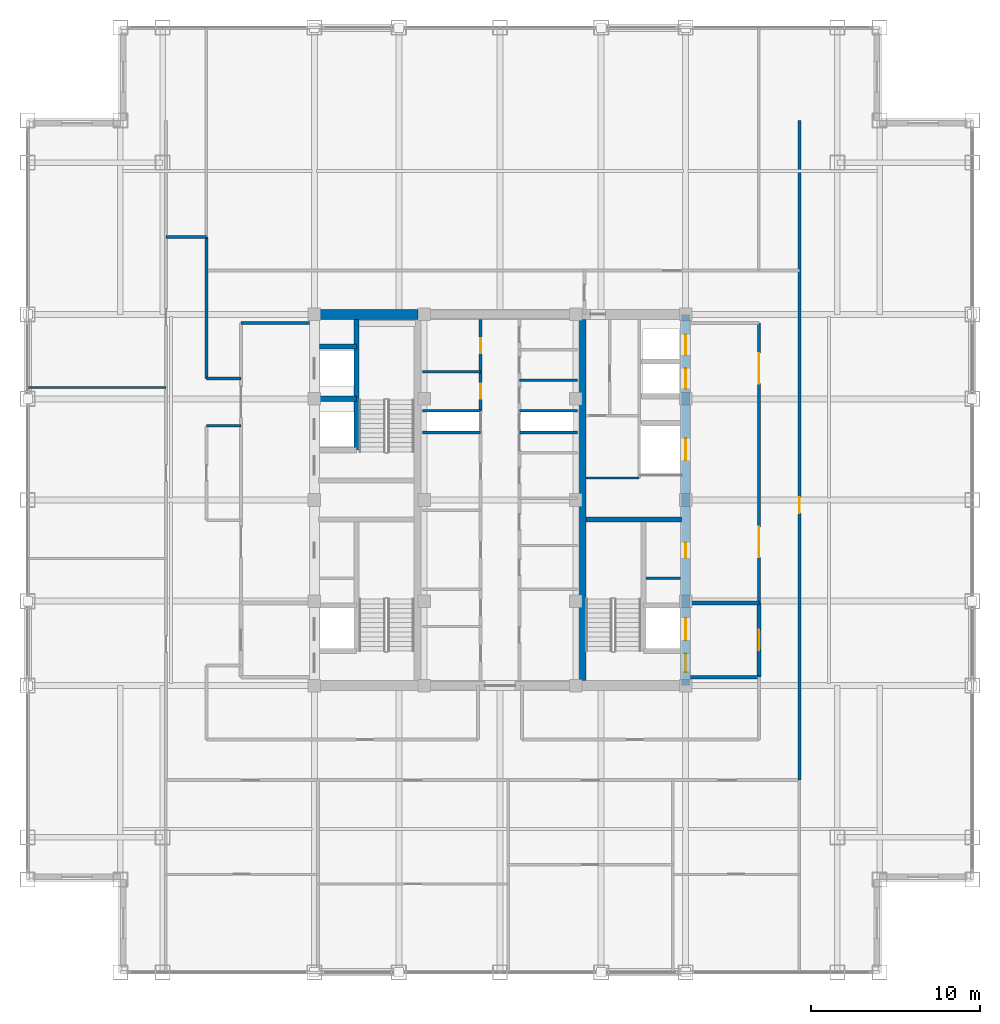
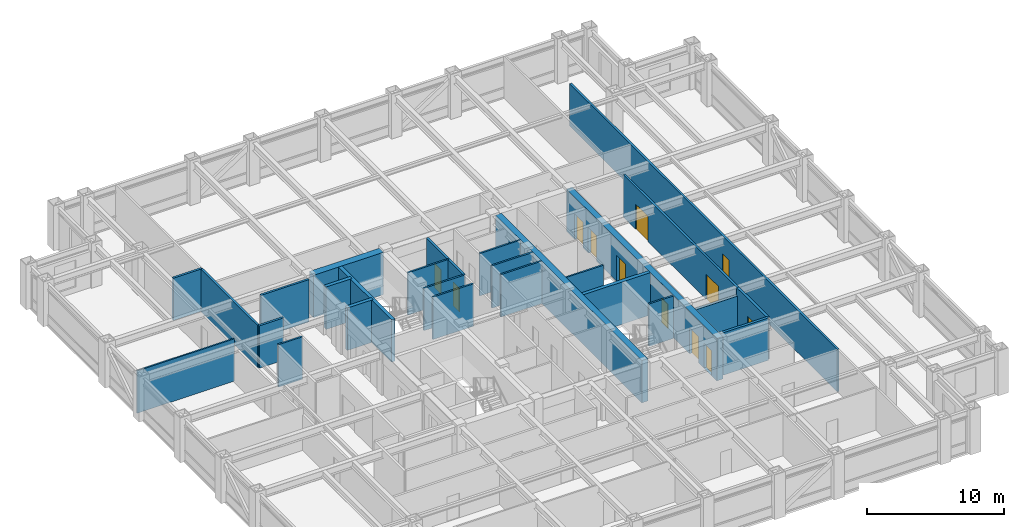
# One storey, part 20 of 22: 27 walls, 12 doors, 12 openings.
"""IFC4 building model written with IfcOpenShell, lengths in metres."""

from ifc_helpers import new_model, si_unit, direction, frame, frame_2d, origin, place, context, subcontext, project, spatial, rectangle, extrude, source, transform, mapped, material, layer, layer_set, type_object, element, fill, save


model = new_model("IFC4")

# Units and contexts
model_context = context("Model", 3, precision=1e-05, world=origin(), true_north=direction((0.0, 1.0)))
body_context = subcontext(model_context, "Body", "Model", "MODEL_VIEW")
ifc_project = project(units=[si_unit("LENGTHUNIT", "METRE"), si_unit("AREAUNIT", "SQUARE_METRE"), si_unit("VOLUMEUNIT", "CUBIC_METRE"), si_unit("PLANEANGLEUNIT", "RADIAN"), si_unit("MASSUNIT", "GRAM", prefix="KILO")], contexts=[model_context])

# Site, building, storey
site_placement = place(None, origin())
site = spatial("IfcSite", under=ifc_project, at=site_placement, CompositionType="ELEMENT")
building_placement = place(site_placement, origin())
building = spatial("IfcBuilding", under=site, at=building_placement, Name="Khorayat Bourse Tower", CompositionType="ELEMENT")
storey_placement = place(building_placement, frame((0.0, 0.0, 293.5)))
storey = spatial("IfcBuildingStorey", under=building, at=storey_placement, Name="L69", CompositionType="ELEMENT", Elevation=293.5)

# Wall, openings, doors
ifc_material_1 = material(Name="Concrete C52/65", Category="concrete")
ifc_layer_1 = layer(ifc_material_1, 0.5)
ifc_layer_set_1 = layer_set([ifc_layer_1], Name="Concrete C52/65")
wall_type_1 = type_object("IfcWallType", Name="WAL-CORE-500", PredefinedType="SHEAR", material=ifc_layer_set_1)
shared_shape_1 = source(origin(), body_context, "Body", "SweptSolid", [
    extrude(rectangle(XDim=22.0, YDim=0.5, at=frame_2d((11.0, 0.0))), origin(), (0.0, 0.0, 1.0), 3.780029296875),
])
wall_1_placement = place(storey_placement, frame((11.0, -11.0, 0.0), z_axis=(0.0, 0.0, 1.0), x_axis=(0.0, 1.0, 0.0)))
wall_1 = element("IfcWall", 1, at=wall_1_placement, inside=storey, type_object=wall_type_1, Name="L69 Core Shear Wall CORE-E", PredefinedType="SHEAR", context=body_context, shape_type="MappedRepresentation", body=[
    mapped(shared_shape_1, transform((0.0, 0.0, 0.0), scale=1.0)),
])
shared_shape_2 = source(origin(), body_context, "Body", "SweptSolid", [
    extrude(rectangle(XDim=1.10009765625, YDim=2.199951171875, at=frame_2d((0.550048828125, 1.10009765625))), frame((0.0, 0.260009765625, 0.0), z_axis=(0.0, -1.0, 0.0), x_axis=(1.0, 0.0, 0.0)), (0.0, 0.0, 1.0), 0.52001953125),
])
opening_1_placement = place(wall_1_placement, frame((0.800048828125, 0.0, 0.0)))
opening_1 = element("IfcOpeningElement", 2, at=opening_1_placement, cuts=wall_1, Name="Opening DI-01", PredefinedType="OPENING", context=body_context, shape_type="MappedRepresentation", body=[
    mapped(shared_shape_2, transform((0.0, 0.0, 0.0), scale=1.0)),
])
shared_shape_3 = source(origin(), body_context, "Body", "SweptSolid", [
    extrude(rectangle(XDim=0.89990234375, YDim=2.14990234375, at=frame_2d((0.449951171875, 1.074951171875))), frame((0.0, 0.260009765625, 0.0), z_axis=(0.0, -1.0, 0.0), x_axis=(1.0, 0.0, 0.0)), (0.0, 0.0, 1.0), 0.52001953125),
])
opening_2_placement = place(wall_1_placement, frame((7.574951171875, 0.0, 0.0)))
opening_2 = element("IfcOpeningElement", 3, at=opening_2_placement, cuts=wall_1, Name="Opening DI-06", PredefinedType="OPENING", context=body_context, shape_type="MappedRepresentation", body=[
    mapped(shared_shape_3, transform((0.0, 0.0, 0.0), scale=1.0)),
])
shared_shape_4 = source(origin(), body_context, "Body", "SweptSolid", [
    extrude(rectangle(XDim=1.199951171875, YDim=2.300048828125, at=frame_2d((0.60009765625, 1.14990234375))), frame((0.0, 0.260009765625, 0.0), z_axis=(0.0, -1.0, 0.0), x_axis=(1.0, 0.0, 0.0)), (0.0, 0.0, 1.0), 0.52001953125),
])
opening_3_placement = place(wall_1_placement, frame((17.60009765625, 0.0, 0.0)))
opening_3 = element("IfcOpeningElement", 4, at=opening_3_placement, cuts=wall_1, Name="Opening LD-01", PredefinedType="OPENING", context=body_context, shape_type="MappedRepresentation", body=[
    mapped(shared_shape_4, transform((0.0, 0.0, 0.0), scale=1.0)),
])
opening_4_placement = place(wall_1_placement, frame((19.60009765625, 0.0, 0.0)))
opening_4 = element("IfcOpeningElement", 5, at=opening_4_placement, cuts=wall_1, Name="Opening LD-01", PredefinedType="OPENING", context=body_context, shape_type="MappedRepresentation", body=[
    mapped(shared_shape_4, transform((0.0, 0.0, 0.0), scale=1.0)),
])
shared_shape_5 = source(origin(), body_context, "Body", "SweptSolid", [
    extrude(rectangle(XDim=1.300048828125, YDim=2.300048828125, at=frame_2d((0.64990234375, 1.14990234375))), frame((0.0, 0.260009765625, 0.0), z_axis=(0.0, -1.0, 0.0), x_axis=(1.0, 0.0, 0.0)), (0.0, 0.0, 1.0), 0.52001953125),
])
opening_5_placement = place(wall_1_placement, frame((2.699951171875, 0.0, 0.0)))
opening_5 = element("IfcOpeningElement", 6, at=opening_5_placement, cuts=wall_1, Name="Opening LD-02", PredefinedType="OPENING", context=body_context, shape_type="MappedRepresentation", body=[
    mapped(shared_shape_5, transform((0.0, 0.0, 0.0), scale=1.0)),
])
opening_6_placement = place(wall_1_placement, frame((13.35009765625, 0.0, 0.0)))
opening_6 = element("IfcOpeningElement", 7, at=opening_6_placement, cuts=wall_1, Name="Opening LD-02", PredefinedType="OPENING", context=body_context, shape_type="MappedRepresentation", body=[
    mapped(shared_shape_5, transform((0.0, 0.0, 0.0), scale=1.0)),
])
ifc_material_2 = material(Name="Fire-rated steel acoustic leaf", Category="steel")
door_type_1 = type_object("IfcDoorType", Name="DR-INT-STAIR-1100", OperationType="NOTDEFINED", PredefinedType="DOOR", material=ifc_material_2)
shared_shape_6 = source(origin(), body_context, "Body", "SweptSolid", [
    extrude(rectangle(XDim=1.10009765625, YDim=2.199951171875, at=frame_2d((0.550048828125, 1.10009765625))), frame((0.0, 0.02490234375, 0.0), z_axis=(0.0, -1.0, 0.0), x_axis=(1.0, 0.0, 0.0)), (0.0, 0.0, 1.0), 0.050048828125),
])
door_1_placement = place(opening_1_placement, origin())
door_1 = element("IfcDoor", 8, at=door_1_placement, inside=storey, type_object=door_type_1, Name="L69 Exit Stair 3 Door", OperationType="SINGLE_SWING_LEFT", OverallHeight=2.199951171875, OverallWidth=1.10009765625, PredefinedType="DOOR", context=body_context, shape_type="MappedRepresentation", body=[
    mapped(shared_shape_6, transform((0.0, 0.0, 0.0), scale=1.0)),
])
fill(opening_1, door_1)
ifc_material_3 = material(Name="Moisture-resistant laminate washroom door")
door_type_2 = type_object("IfcDoorType", Name="DR-INT-WC-900", OperationType="NOTDEFINED", PredefinedType="DOOR", material=ifc_material_3)
shared_shape_7 = source(origin(), body_context, "Body", "SweptSolid", [
    extrude(rectangle(XDim=0.89990234375, YDim=2.14990234375, at=frame_2d((0.449951171875, 1.074951171875))), frame((0.0, 0.02490234375, 0.0), z_axis=(0.0, -1.0, 0.0), x_axis=(1.0, 0.0, 0.0)), (0.0, 0.0, 1.0), 0.050048828125),
])
door_2_placement = place(opening_2_placement, origin())
door_2 = element("IfcDoor", 9, at=door_2_placement, inside=storey, type_object=door_type_2, Name="L69 Fiber Server Plant Room Door", OperationType="SINGLE_SWING_LEFT", OverallHeight=2.14990234375, OverallWidth=0.89990234375, PredefinedType="DOOR", context=body_context, shape_type="MappedRepresentation", body=[
    mapped(shared_shape_7, transform((0.0, 0.0, 0.0), scale=1.0)),
])
fill(opening_2, door_2)
ifc_material_4 = material(Name="Brushed bronze stainless-steel sliding door", Category="steel")
door_type_3 = type_object("IfcDoorType", Name="DR-LIFT-PASS-1200", OperationType="NOTDEFINED", PredefinedType="DOOR", material=ifc_material_4)
shared_shape_8 = source(origin(), body_context, "Body", "SweptSolid", [
    extrude(rectangle(XDim=1.199951171875, YDim=2.300048828125, at=frame_2d((0.60009765625, 1.14990234375))), frame((0.0, 0.02490234375, 0.0), z_axis=(0.0, -1.0, 0.0), x_axis=(1.0, 0.0, 0.0)), (0.0, 0.0, 1.0), 0.050048828125),
])
door_3_placement = place(opening_3_placement, origin())
door_3 = element("IfcDoor", 10, at=door_3_placement, inside=storey, type_object=door_type_3, Name="L69 Lift PL-H3 Sliding Landing Door", OperationType="SLIDING_TO_LEFT", OverallHeight=2.300048828125, OverallWidth=1.199951171875, PredefinedType="DOOR", context=body_context, shape_type="MappedRepresentation", body=[
    mapped(shared_shape_8, transform((0.0, 0.0, 0.0), scale=1.0)),
])
fill(opening_3, door_3)
door_4_placement = place(opening_4_placement, origin())
door_4 = element("IfcDoor", 11, at=door_4_placement, inside=storey, type_object=door_type_3, Name="L69 Lift PL-H4 Sliding Landing Door", OperationType="SLIDING_TO_LEFT", OverallHeight=2.300048828125, OverallWidth=1.199951171875, PredefinedType="DOOR", context=body_context, shape_type="MappedRepresentation", body=[
    mapped(shared_shape_8, transform((0.0, 0.0, 0.0), scale=1.0)),
])
fill(opening_4, door_4)
ifc_material_5 = material(Name="Fire-rated stainless-steel sliding landing door", Category="steel")
door_type_4 = type_object("IfcDoorType", Name="DR-LIFT-FF-1300", OperationType="NOTDEFINED", PredefinedType="DOOR", material=ifc_material_5)
shared_shape_9 = source(origin(), body_context, "Body", "SweptSolid", [
    extrude(rectangle(XDim=1.300048828125, YDim=2.300048828125, at=frame_2d((0.64990234375, 1.14990234375))), frame((0.0, 0.02490234375, 0.0), z_axis=(0.0, -1.0, 0.0), x_axis=(1.0, 0.0, 0.0)), (0.0, 0.0, 1.0), 0.050048828125),
])
door_5_placement = place(opening_5_placement, origin())
door_5 = element("IfcDoor", 12, at=door_5_placement, inside=storey, type_object=door_type_4, Name="L69 Lift FFL-02 Sliding Landing Door", OperationType="SLIDING_TO_LEFT", OverallHeight=2.300048828125, OverallWidth=1.300048828125, PredefinedType="DOOR", context=body_context, shape_type="MappedRepresentation", body=[
    mapped(shared_shape_9, transform((0.0, 0.0, 0.0), scale=1.0)),
])
fill(opening_5, door_5)
door_6_placement = place(opening_6_placement, origin())
door_6 = element("IfcDoor", 13, at=door_6_placement, inside=storey, type_object=door_type_4, Name="L69 Lift SVL-01 Sliding Landing Door", OperationType="SLIDING_TO_LEFT", OverallHeight=2.300048828125, OverallWidth=1.300048828125, PredefinedType="DOOR", context=body_context, shape_type="MappedRepresentation", body=[
    mapped(shared_shape_9, transform((0.0, 0.0, 0.0), scale=1.0)),
])
fill(opening_6, door_6)

# Walls
shared_shape_10 = source(origin(), body_context, "Body", "SweptSolid", [
    extrude(rectangle(XDim=21.39990234375, YDim=0.5, at=frame_2d((10.699951171875, 0.0))), origin(), (0.0, 0.0, 1.0), 3.780029296875),
])
wall_2_placement = place(storey_placement, frame((4.85009765625, -10.699951171875, 0.0), z_axis=(0.0, 0.0, 1.0), x_axis=(0.0, 1.0, 0.0)))
element("IfcWall", 14, at=wall_2_placement, inside=storey, type_object=wall_type_1, Name="L69 Core Shear Wall PIER-E", PredefinedType="SHEAR", context=body_context, shape_type="MappedRepresentation", body=[
    mapped(shared_shape_10, transform((0.0, 0.0, 0.0), scale=1.0)),
])
ifc_material_6 = material(Name="Concrete C60/75", Category="concrete")
ifc_layer_2 = layer(ifc_material_6, 0.60009765625)
ifc_layer_set_2 = layer_set([ifc_layer_2], Name="Concrete C60/75")
wall_type_2 = type_object("IfcWallType", Name="WAL-CORE-600", PredefinedType="SHEAR", material=ifc_layer_set_2)
shared_shape_11 = source(origin(), body_context, "Body", "SweptSolid", [
    extrude(rectangle(XDim=5.89990234375, YDim=0.60009765625, at=frame_2d((2.949951171875, 0.0))), origin(), (0.0, 0.0, 1.0), 3.780029296875),
])
wall_3_placement = place(storey_placement, frame((-10.75, 11.0, 0.0), z_axis=(0.0, 0.0, 1.0), x_axis=(1.0, 0.0, 0.0)))
element("IfcWall", 15, at=wall_3_placement, inside=storey, type_object=wall_type_2, Name="L69 Core Shear Wall PIER-WN", PredefinedType="SHEAR", context=body_context, shape_type="MappedRepresentation", body=[
    mapped(shared_shape_11, transform((0.0, 0.0, 0.0), scale=1.0)),
])
ifc_material_7 = material(Name="Concrete C50/60", Category="concrete")
ifc_layer_3 = layer(ifc_material_7, 0.300048828125)
ifc_layer_set_3 = layer_set([ifc_layer_3], Name="Concrete C50/60")
wall_type_3 = type_object("IfcWallType", Name="WAL-SHAFT-300", PredefinedType="SHEAR", material=ifc_layer_set_3)
shared_shape_12 = source(origin(), body_context, "Body", "SweptSolid", [
    extrude(rectangle(XDim=5.64990234375, YDim=0.300048828125, at=frame_2d((2.824951171875, 0.0))), origin(), (0.0, 0.0, 1.0), 3.780029296875),
])
wall_4_placement = place(storey_placement, frame((5.10009765625, -1.14990234375, 0.0), z_axis=(0.0, 0.0, 1.0), x_axis=(1.0, 0.0, 0.0)))
element("IfcWall", 16, at=wall_4_placement, inside=storey, type_object=wall_type_3, Name="L69 Core Shear Wall ST3-DIV", PredefinedType="SHEAR", context=body_context, shape_type="MappedRepresentation", body=[
    mapped(shared_shape_12, transform((0.0, 0.0, 0.0), scale=1.0)),
])
ifc_material_8 = material(Name="Aerated concrete blockwork", Category="masonry")
ifc_layer_4 = layer(ifc_material_8, 0.219970703125)
ifc_layer_set_4 = layer_set([ifc_layer_4], Name="Aerated concrete blockwork")
wall_type_4 = type_object("IfcWallType", Name="WAL-PART-FF-220", PredefinedType="PARTITIONING", material=ifc_layer_set_4)
shared_shape_13 = source(origin(), body_context, "Body", "SweptSolid", [
    extrude(rectangle(XDim=4.050048828125, YDim=0.219970703125, at=frame_2d((2.02490234375, 0.0))), origin(), (0.0, 0.0, 1.0), 3.0849609375),
])
wall_5_placement = place(storey_placement, frame((11.300048828125, -6.10009765625, 0.0), z_axis=(0.0, 0.0, 1.0), x_axis=(1.0, 0.0, 0.0)))
element("IfcWall", 17, at=wall_5_placement, inside=storey, type_object=wall_type_4, Name="L69 Partition WAL-L69-FFLE-N", PredefinedType="PARTITIONING", context=body_context, shape_type="MappedRepresentation", body=[
    mapped(shared_shape_13, transform((0.0, 0.0, 0.0), scale=1.0)),
])
shared_shape_14 = source(origin(), body_context, "Body", "SweptSolid", [
    extrude(rectangle(XDim=2.199951171875, YDim=0.300048828125, at=frame_2d((1.10009765625, 0.0))), origin(), (0.0, 0.0, 1.0), 3.780029296875),
])
for number, where, z_axis, x_axis, name in (
    (18, (-10.699951171875, 6.0, 0.0), (0.0, 0.0, 1.0), (1.0, 0.0, 0.0), "L69 Partition WAL-L69-WPIER-H12"),
    (19, (-10.699951171875, 9.10009765625, 0.0), (0.0, 0.0, 1.0), (1.0, 0.0, 0.0), "L69 Partition WAL-L69-WPIER-H2N"),
):
    element("IfcWall", number, at=place(storey_placement, frame(where, z_axis=z_axis, x_axis=x_axis)), inside=storey, type_object=wall_type_3, Name=name, PredefinedType="SHEAR", context=body_context, shape_type="MappedRepresentation", body=[
        mapped(shared_shape_14, transform((0.0, 0.0, 0.0), scale=1.0)),
    ])
shared_shape_15 = source(origin(), body_context, "Body", "SweptSolid", [
    extrude(rectangle(XDim=7.75, YDim=0.300048828125, at=frame_2d((3.875, 0.0))), origin(), (0.0, 0.0, 1.0), 3.780029296875),
])
wall_6_placement = place(storey_placement, frame((-8.5, 2.949951171875, 0.0), z_axis=(0.0, 0.0, 1.0), x_axis=(0.0, 1.0, 0.0)))
element("IfcWall", 20, at=wall_6_placement, inside=storey, type_object=wall_type_3, Name="L69 Partition WAL-L69-WPIER-ST2S", PredefinedType="SHEAR", context=body_context, shape_type="MappedRepresentation", body=[
    mapped(shared_shape_15, transform((0.0, 0.0, 0.0), scale=1.0)),
])
ifc_material_9 = material(Name="Gypsum plasterboard twin-frame partition")
ifc_layer_5 = layer(ifc_material_9, 0.14990234375)
ifc_layer_set_5 = layer_set([ifc_layer_5], Name="Gypsum plasterboard twin-frame partition")
wall_type_5 = type_object("IfcWallType", Name="WAL-PART-SUITE-150", PredefinedType="PARTITIONING", material=ifc_layer_set_5)
shared_shape_16 = source(origin(), body_context, "Body", "SweptSolid", [
    extrude(rectangle(XDim=2.050048828125, YDim=0.14990234375, at=frame_2d((1.02490234375, 0.0))), origin(), (0.0, 0.0, 1.0), 3.780029296875),
])
wall_7_placement = place(storey_placement, frame((8.64990234375, -4.64990234375, 0.0), z_axis=(0.0, 0.0, 1.0), x_axis=(1.0, 0.0, 0.0)))
element("IfcWall", 21, at=wall_7_placement, inside=storey, type_object=wall_type_5, Name="L69 Partition WAL-L69-ESRV-S0", PredefinedType="PARTITIONING", context=body_context, shape_type="MappedRepresentation", body=[
    mapped(shared_shape_16, transform((0.0, 0.0, 0.0), scale=1.0)),
])
ifc_material_10 = material(Name="Moisture-resistant masonry partition", Category="masonry")
ifc_layer_6 = layer(ifc_material_10, 0.139892578125)
ifc_layer_set_6 = layer_set([ifc_layer_6], Name="Moisture-resistant masonry partition")
wall_type_6 = type_object("IfcWallType", Name="WAL-PART-WET-140", PredefinedType="PARTITIONING", material=ifc_layer_set_6)
shared_shape_17 = source(origin(), body_context, "Body", "SweptSolid", [
    extrude(rectangle(XDim=3.14990234375, YDim=0.139892578125, at=frame_2d((1.574951171875, 0.0))), origin(), (0.0, 0.0, 1.0), 3.780029296875),
])
wall_8_placement = place(storey_placement, frame((5.10009765625, 1.300048828125, 0.0), z_axis=(0.0, 0.0, 1.0), x_axis=(1.0, 0.0, 0.0)))
element("IfcWall", 22, at=wall_8_placement, inside=storey, type_object=wall_type_6, Name="L69 Partition WAL-L69-ECORE-S", PredefinedType="PARTITIONING", context=body_context, shape_type="MappedRepresentation", body=[
    mapped(shared_shape_17, transform((0.0, 0.0, 0.0), scale=1.0)),
])
shared_shape_18 = source(origin(), body_context, "Body", "SweptSolid", [
    extrude(rectangle(XDim=4.050048828125, YDim=0.219970703125, at=frame_2d((2.02490234375, 0.0))), origin(), (0.0, 0.0, 1.0), 3.780029296875),
])
wall_9_placement = place(storey_placement, frame((11.300048828125, -10.5, 0.0), z_axis=(0.0, 0.0, 1.0), x_axis=(1.0, 0.0, 0.0)))
element("IfcWall", 23, at=wall_9_placement, inside=storey, type_object=wall_type_4, Name="L69 Partition WAL-L69-FFLE-S", PredefinedType="PARTITIONING", context=body_context, shape_type="MappedRepresentation", body=[
    mapped(shared_shape_18, transform((0.0, 0.0, 0.0), scale=1.0)),
])

# Wall, opening, door
shared_shape_19 = source(origin(), body_context, "Body", "SweptSolid", [
    extrude(rectangle(XDim=4.39990234375, YDim=0.219970703125, at=frame_2d((2.199951171875, 0.0))), origin(), (0.0, 0.0, 1.0), 3.780029296875),
])
wall_10_placement = place(storey_placement, frame((15.35009765625, -10.5, 0.0), z_axis=(0.0, 0.0, 1.0), x_axis=(0.0, 1.0, 0.0)))
wall_10 = element("IfcWall", 24, at=wall_10_placement, inside=storey, type_object=wall_type_4, Name="L69 Partition WAL-L69-FFLE-E", PredefinedType="PARTITIONING", context=body_context, shape_type="MappedRepresentation", body=[
    mapped(shared_shape_19, transform((0.0, 0.0, 0.0), scale=1.0)),
])
shared_shape_20 = source(origin(), body_context, "Body", "SweptSolid", [
    extrude(rectangle(XDim=1.199951171875, YDim=2.199951171875, at=frame_2d((0.60009765625, 1.10009765625))), frame((0.0, 0.119873046875, 0.0), z_axis=(0.0, -1.0, 0.0), x_axis=(1.0, 0.0, 0.0)), (0.0, 0.0, 1.0), 0.239990234375),
])
opening_7_placement = place(wall_10_placement, frame((1.60009765625, 0.0, 0.0)))
opening_7 = element("IfcOpeningElement", 25, at=opening_7_placement, cuts=wall_10, Name="Opening DI-02", PredefinedType="OPENING", context=body_context, shape_type="MappedRepresentation", body=[
    mapped(shared_shape_20, transform((0.0, 0.0, 0.0), scale=1.0)),
])
ifc_material_11 = material(Name="Fire-rated steel double-seal leaf", Category="steel")
door_type_5 = type_object("IfcDoorType", Name="DR-INT-FFLOBBY-1200", OperationType="NOTDEFINED", PredefinedType="DOOR", material=ifc_material_11)
shared_shape_21 = source(origin(), body_context, "Body", "SweptSolid", [
    extrude(rectangle(XDim=1.199951171875, YDim=2.199951171875, at=frame_2d((0.60009765625, 1.10009765625))), frame((0.0, 0.02490234375, 0.0), z_axis=(0.0, -1.0, 0.0), x_axis=(1.0, 0.0, 0.0)), (0.0, 0.0, 1.0), 0.050048828125),
])
door_7_placement = place(opening_7_placement, origin())
door_7 = element("IfcDoor", 26, at=door_7_placement, inside=storey, type_object=door_type_5, Name="L69 East Firefighting Lobby Door", OperationType="SINGLE_SWING_RIGHT", OverallHeight=2.199951171875, OverallWidth=1.199951171875, PredefinedType="DOOR", context=body_context, shape_type="MappedRepresentation", body=[
    mapped(shared_shape_21, transform((0.0, 0.0, 0.0), scale=1.0)),
])
fill(opening_7, door_7)

# Wall
ifc_material_12 = material(Name="Gypsum plasterboard acoustic stud wall")
ifc_layer_7 = layer(ifc_material_12, 0.179931640625)
ifc_layer_set_7 = layer_set([ifc_layer_7], Name="Gypsum plasterboard acoustic stud wall")
wall_type_7 = type_object("IfcWallType", Name="WAL-PART-CORR-180", PredefinedType="PARTITIONING", material=ifc_layer_set_7)
shared_shape_22 = source(origin(), body_context, "Body", "SweptSolid", [
    extrude(rectangle(XDim=4.050048828125, YDim=0.179931640625, at=frame_2d((2.02490234375, 0.0))), origin(), (0.0, 0.0, 1.0), 3.780029296875),
])
wall_11_placement = place(storey_placement, frame((-15.35009765625, 10.5, 0.0), z_axis=(0.0, 0.0, 1.0), x_axis=(1.0, 0.0, 0.0)))
element("IfcWall", 27, at=wall_11_placement, inside=storey, type_object=wall_type_7, Name="L69 Partition WAL-L69-WLOB-N", PredefinedType="PARTITIONING", context=body_context, shape_type="MappedRepresentation", body=[
    mapped(shared_shape_22, transform((0.0, 0.0, 0.0), scale=1.0)),
])

# Wall, openings, doors
shared_shape_23 = source(origin(), body_context, "Body", "SweptSolid", [
    extrude(rectangle(XDim=16.60009765625, YDim=0.179931640625, at=frame_2d((8.300048828125, 0.0))), origin(), (0.0, 0.0, 1.0), 3.780029296875),
])
wall_12_placement = place(storey_placement, frame((15.35009765625, -6.10009765625, 0.0), z_axis=(0.0, 0.0, 1.0), x_axis=(0.0, 1.0, 0.0)))
wall_12 = element("IfcWall", 28, at=wall_12_placement, inside=storey, type_object=wall_type_7, Name="L69 Partition WAL-L69-ELOB-E", PredefinedType="PARTITIONING", context=body_context, shape_type="MappedRepresentation", body=[
    mapped(shared_shape_23, transform((0.0, 0.0, 0.0), scale=1.0)),
])
shared_shape_24 = source(origin(), body_context, "Body", "SweptSolid", [
    extrude(rectangle(XDim=1.800048828125, YDim=2.25, at=frame_2d((0.89990234375, 1.125))), frame((0.0, 0.099853515625, 0.0), z_axis=(0.0, -1.0, 0.0), x_axis=(1.0, 0.0, 0.0)), (0.0, 0.0, 1.0), 0.199951171875),
])
opening_8_placement = place(wall_12_placement, frame((2.699951171875, 0.0, 0.0)))
opening_8 = element("IfcOpeningElement", 29, at=opening_8_placement, cuts=wall_12, Name="Opening DI-03", PredefinedType="OPENING", context=body_context, shape_type="MappedRepresentation", body=[
    mapped(shared_shape_24, transform((0.0, 0.0, 0.0), scale=1.0)),
])
opening_9_placement = place(wall_12_placement, frame((13.0, 0.0, 0.0)))
opening_9 = element("IfcOpeningElement", 30, at=opening_9_placement, cuts=wall_12, Name="Opening DI-03", PredefinedType="OPENING", context=body_context, shape_type="MappedRepresentation", body=[
    mapped(shared_shape_24, transform((0.0, 0.0, 0.0), scale=1.0)),
])
ifc_material_13 = material(Name="Fire-rated hardwood vision-panel double leaf", Category="wood")
door_type_6 = type_object("IfcDoorType", Name="DR-INT-CORR-1800", OperationType="NOTDEFINED", PredefinedType="DOOR", material=ifc_material_13)
shared_shape_25 = source(origin(), body_context, "Body", "SweptSolid", [
    extrude(rectangle(XDim=1.800048828125, YDim=2.25, at=frame_2d((0.89990234375, 1.125))), frame((0.0, 0.02490234375, 0.0), z_axis=(0.0, -1.0, 0.0), x_axis=(1.0, 0.0, 0.0)), (0.0, 0.0, 1.0), 0.050048828125),
])
door_8_placement = place(opening_8_placement, origin())
door_8 = element("IfcDoor", 31, at=door_8_placement, inside=storey, type_object=door_type_6, Name="L69 East Core Lobby South Door", OperationType="SINGLE_SWING_RIGHT", OverallHeight=2.25, OverallWidth=1.800048828125, PredefinedType="DOOR", context=body_context, shape_type="MappedRepresentation", body=[
    mapped(shared_shape_25, transform((0.0, 0.0, 0.0), scale=1.0)),
])
fill(opening_8, door_8)
door_9_placement = place(opening_9_placement, origin())
door_9 = element("IfcDoor", 32, at=door_9_placement, inside=storey, type_object=door_type_6, Name="L69 East Core Lobby North Door", OperationType="SINGLE_SWING_LEFT", OverallHeight=2.25, OverallWidth=1.800048828125, PredefinedType="DOOR", context=body_context, shape_type="MappedRepresentation", body=[
    mapped(shared_shape_25, transform((0.0, 0.0, 0.0), scale=1.0)),
])
fill(opening_9, door_9)

# Walls
shared_shape_26 = source(origin(), body_context, "Body", "SweptSolid", [
    extrude(rectangle(XDim=3.4501953125, YDim=0.14990234375, at=frame_2d((1.72509765625, 0.0))), origin(), (0.0, 0.0, 1.0), 3.780029296875),
])
for number, where, z_axis, x_axis, name in (
    (33, (-4.60009765625, 4.0, 0.0), (0.0, 0.0, 1.0), (1.0, 0.0, 0.0), "L69 Partition WAL-L69-CRSW-S"),
    (34, (1.14990234375, 4.0, 0.0), (0.0, 0.0, 1.0), (1.0, 0.0, 0.0), "L69 Partition WAL-L69-CRSE-S"),
    (35, (-4.60009765625, 5.300048828125, 0.0), (0.0, 0.0, 1.0), (1.0, 0.0, 0.0), "L69 Partition WAL-L69-FB2-SW"),
    (36, (1.14990234375, 5.300048828125, 0.0), (0.0, 0.0, 1.0), (1.0, 0.0, 0.0), "L69 Partition WAL-L69-FB2-SE"),
):
    element("IfcWall", number, at=place(storey_placement, frame(where, z_axis=z_axis, x_axis=x_axis)), inside=storey, type_object=wall_type_5, Name=name, PredefinedType="PARTITIONING", context=body_context, shape_type="MappedRepresentation", body=[
        mapped(shared_shape_26, transform((0.0, 0.0, 0.0), scale=1.0)),
    ])

# Wall, openings, doors
shared_shape_27 = source(origin(), body_context, "Body", "SweptSolid", [
    extrude(rectangle(XDim=5.39990234375, YDim=0.179931640625, at=frame_2d((2.699951171875, 0.0))), origin(), (0.0, 0.0, 1.0), 3.780029296875),
])
wall_13_placement = place(storey_placement, frame((-1.14990234375, 5.300048828125, 0.0), z_axis=(0.0, 0.0, 1.0), x_axis=(0.0, 1.0, 0.0)))
wall_13 = element("IfcWall", 37, at=wall_13_placement, inside=storey, type_object=wall_type_7, Name="L69 Partition WAL-L69-FB2W-L", PredefinedType="PARTITIONING", context=body_context, shape_type="MappedRepresentation", body=[
    mapped(shared_shape_27, transform((0.0, 0.0, 0.0), scale=1.0)),
])
shared_shape_28 = source(origin(), body_context, "Body", "SweptSolid", [
    extrude(rectangle(XDim=0.89990234375, YDim=2.14990234375, at=frame_2d((0.449951171875, 1.074951171875))), frame((0.0, 0.099853515625, 0.0), z_axis=(0.0, -1.0, 0.0), x_axis=(1.0, 0.0, 0.0)), (0.0, 0.0, 1.0), 0.199951171875),
])
opening_10_placement = place(wall_13_placement, frame((0.699951171875, 0.0, 0.0)))
opening_10 = element("IfcOpeningElement", 38, at=opening_10_placement, cuts=wall_13, Name="Opening DI-06", PredefinedType="OPENING", context=body_context, shape_type="MappedRepresentation", body=[
    mapped(shared_shape_28, transform((0.0, 0.0, 0.0), scale=1.0)),
])
opening_11_placement = place(wall_13_placement, frame((3.39990234375, 0.0, 0.0)))
opening_11 = element("IfcOpeningElement", 39, at=opening_11_placement, cuts=wall_13, Name="Opening DI-06", PredefinedType="OPENING", context=body_context, shape_type="MappedRepresentation", body=[
    mapped(shared_shape_28, transform((0.0, 0.0, 0.0), scale=1.0)),
])
door_10_placement = place(opening_10_placement, origin())
door_10 = element("IfcDoor", 40, at=door_10_placement, inside=storey, type_object=door_type_2, Name="L69 Board Archive Store Door", OperationType="SINGLE_SWING_RIGHT", OverallHeight=2.14990234375, OverallWidth=0.89990234375, PredefinedType="DOOR", context=body_context, shape_type="MappedRepresentation", body=[
    mapped(shared_shape_7, transform((0.0, 0.0, 0.0), scale=1.0)),
])
fill(opening_10, door_10)
door_11_placement = place(opening_11_placement, origin())
door_11 = element("IfcDoor", 41, at=door_11_placement, inside=storey, type_object=door_type_2, Name="L69 Smoke Control Plant Room Door", OperationType="SINGLE_SWING_LEFT", OverallHeight=2.14990234375, OverallWidth=0.89990234375, PredefinedType="DOOR", context=body_context, shape_type="MappedRepresentation", body=[
    mapped(shared_shape_7, transform((0.0, 0.0, 0.0), scale=1.0)),
])
fill(opening_11, door_11)

# Walls
shared_shape_29 = source(origin(), body_context, "Body", "SweptSolid", [
    extrude(rectangle(XDim=3.4501953125, YDim=0.139892578125, at=frame_2d((1.72509765625, 0.0))), origin(), (0.0, 0.0, 1.0), 3.780029296875),
])
for number, where, z_axis, x_axis, name in (
    (42, (-4.60009765625, 7.60009765625, 0.0), (0.0, 0.0, 1.0), (1.0, 0.0, 0.0), "L69 Partition WAL-L69-FB2W-D1"),
    (43, (1.14990234375, 7.10009765625, 0.0), (0.0, 0.0, 1.0), (1.0, 0.0, 0.0), "L69 Partition WAL-L69-FB2E-D1"),
):
    element("IfcWall", number, at=place(storey_placement, frame(where, z_axis=z_axis, x_axis=x_axis)), inside=storey, type_object=wall_type_6, Name=name, PredefinedType="PARTITIONING", context=body_context, shape_type="MappedRepresentation", body=[
        mapped(shared_shape_29, transform((0.0, 0.0, 0.0), scale=1.0)),
    ])
shared_shape_30 = source(origin(), body_context, "Body", "SweptSolid", [
    extrude(rectangle(XDim=2.0498046875, YDim=0.14990234375, at=frame_2d((1.02490234375, 0.0))), origin(), (0.0, 0.0, 1.0), 3.780029296875),
])
wall_14_placement = place(storey_placement, frame((-17.39990234375, 4.39990234375, 0.0), z_axis=(0.0, 0.0, 1.0), x_axis=(1.0, 0.0, 0.0)))
element("IfcWall", 44, at=wall_14_placement, inside=storey, type_object=wall_type_5, Name="L69 Partition WAL-L69-PKWM-N", PredefinedType="PARTITIONING", context=body_context, shape_type="MappedRepresentation", body=[
    mapped(shared_shape_30, transform((0.0, 0.0, 0.0), scale=1.0)),
])
shared_shape_31 = source(origin(), body_context, "Body", "SweptSolid", [
    extrude(rectangle(XDim=2.0498046875, YDim=0.179931640625, at=frame_2d((1.02490234375, 0.0))), origin(), (0.0, 0.0, 1.0), 3.780029296875),
])
wall_15_placement = place(storey_placement, frame((-17.39990234375, 7.199951171875, 0.0), z_axis=(0.0, 0.0, 1.0), x_axis=(1.0, 0.0, 0.0)))
element("IfcWall", 45, at=wall_15_placement, inside=storey, type_object=wall_type_7, Name="L69 Partition WAL-L69-THRWN-T", PredefinedType="PARTITIONING", context=body_context, shape_type="MappedRepresentation", body=[
    mapped(shared_shape_31, transform((0.0, 0.0, 0.0), scale=1.0)),
])
shared_shape_32 = source(origin(), body_context, "Body", "SweptSolid", [
    extrude(rectangle(XDim=8.400146484375, YDim=0.179931640625, at=frame_2d((4.2001953125, 0.0))), origin(), (0.0, 0.0, 1.0), 3.780029296875),
])
wall_16_placement = place(storey_placement, frame((-17.39990234375, 7.199951171875, 0.0), z_axis=(0.0, 0.0, 1.0), x_axis=(0.0, 1.0, 0.0)))
element("IfcWall", 46, at=wall_16_placement, inside=storey, type_object=wall_type_7, Name="L69 Partition WAL-L69-THRWN-N", PredefinedType="PARTITIONING", context=body_context, shape_type="MappedRepresentation", body=[
    mapped(shared_shape_32, transform((0.0, 0.0, 0.0), scale=1.0)),
])
shared_shape_33 = source(origin(), body_context, "Body", "SweptSolid", [
    extrude(rectangle(XDim=2.400146484375, YDim=0.179931640625, at=frame_2d((1.2001953125, 0.0))), origin(), (0.0, 0.0, 1.0), 3.780029296875),
])
wall_17_placement = place(storey_placement, frame((-19.800048828125, 15.60009765625, 0.0), z_axis=(0.0, 0.0, 1.0), x_axis=(1.0, 0.0, 0.0)))
element("IfcWall", 47, at=wall_17_placement, inside=storey, type_object=wall_type_7, Name="L69 Partition WAL-L69-GALW-N", PredefinedType="PARTITIONING", context=body_context, shape_type="MappedRepresentation", body=[
    mapped(shared_shape_33, transform((0.0, 0.0, 0.0), scale=1.0)),
])
ifc_material_14 = material(Name="Gypsum plasterboard partition")
ifc_layer_8 = layer(ifc_material_14, 0.125)
ifc_layer_set_8 = layer_set([ifc_layer_8], Name="Gypsum plasterboard partition")
wall_type_8 = type_object("IfcWallType", Name="WAL-PART-ROOM-125", PredefinedType="PARTITIONING", material=ifc_layer_set_8)
shared_shape_34 = source(origin(), body_context, "Body", "SweptSolid", [
    extrude(rectangle(XDim=8.199951171875, YDim=0.125, at=frame_2d((4.10009765625, 0.0))), origin(), (0.0, 0.0, 1.0), 3.780029296875),
])
wall_18_placement = place(storey_placement, frame((-28.0, 6.659912109375, 0.0), z_axis=(0.0, 0.0, 1.0), x_axis=(1.0, 0.0, 0.0)))
element("IfcWall", 48, at=wall_18_placement, inside=storey, type_object=wall_type_8, Name="L69 Partition WAL-L69-WDV-2", PredefinedType="PARTITIONING", context=body_context, shape_type="MappedRepresentation", body=[
    mapped(shared_shape_34, transform((0.0, 0.0, 0.0), scale=1.0)),
])

# Wall, opening, door
shared_shape_35 = source(origin(), body_context, "Body", "SweptSolid", [
    extrude(rectangle(XDim=39.10009765625, YDim=0.179931640625, at=frame_2d((19.550048828125, 0.0))), origin(), (0.0, 0.0, 1.0), 3.780029296875),
])
wall_19_placement = place(storey_placement, frame((17.75, -16.60009765625, 0.0), z_axis=(0.0, 0.0, 1.0), x_axis=(0.0, 1.0, 0.0)))
wall_19 = element("IfcWall", 49, at=wall_19_placement, inside=storey, type_object=wall_type_7, Name="L69 Partition WAL-L69-ECORR", PredefinedType="PARTITIONING", context=body_context, shape_type="MappedRepresentation", body=[
    mapped(shared_shape_35, transform((0.0, 0.0, 0.0), scale=1.0)),
])
shared_shape_36 = source(origin(), body_context, "Body", "SweptSolid", [
    extrude(rectangle(XDim=0.949951171875, YDim=2.14990234375, at=frame_2d((0.47509765625, 1.074951171875))), frame((0.0, 0.099853515625, 0.0), z_axis=(0.0, -1.0, 0.0), x_axis=(1.0, 0.0, 0.0)), (0.0, 0.0, 1.0), 0.199951171875),
])
opening_12_placement = place(wall_19_placement, frame((15.824951171875, 0.0, 0.0)))
opening_12 = element("IfcOpeningElement", 50, at=opening_12_placement, cuts=wall_19, Name="Opening DI-05", PredefinedType="OPENING", context=body_context, shape_type="MappedRepresentation", body=[
    mapped(shared_shape_36, transform((0.0, 0.0, 0.0), scale=1.0)),
])
ifc_material_15 = material(Name="Acoustic oak veneer office door")
door_type_7 = type_object("IfcDoorType", Name="DR-INT-OFFICE-950", OperationType="NOTDEFINED", PredefinedType="DOOR", material=ifc_material_15)
shared_shape_37 = source(origin(), body_context, "Body", "SweptSolid", [
    extrude(rectangle(XDim=0.949951171875, YDim=2.14990234375, at=frame_2d((0.47509765625, 1.074951171875))), frame((0.0, 0.02490234375, 0.0), z_axis=(0.0, -1.0, 0.0), x_axis=(1.0, 0.0, 0.0)), (0.0, 0.0, 1.0), 0.050048828125),
])
door_12_placement = place(opening_12_placement, origin())
door_12 = element("IfcDoor", 51, at=door_12_placement, inside=storey, type_object=door_type_7, Name="L69 Financial Training Classroom E1 Door", OperationType="SINGLE_SWING_RIGHT", OverallHeight=2.14990234375, OverallWidth=0.949951171875, PredefinedType="DOOR", context=body_context, shape_type="MappedRepresentation", body=[
    mapped(shared_shape_37, transform((0.0, 0.0, 0.0), scale=1.0)),
])
fill(opening_12, door_12)

save(model, "model.ifc")
